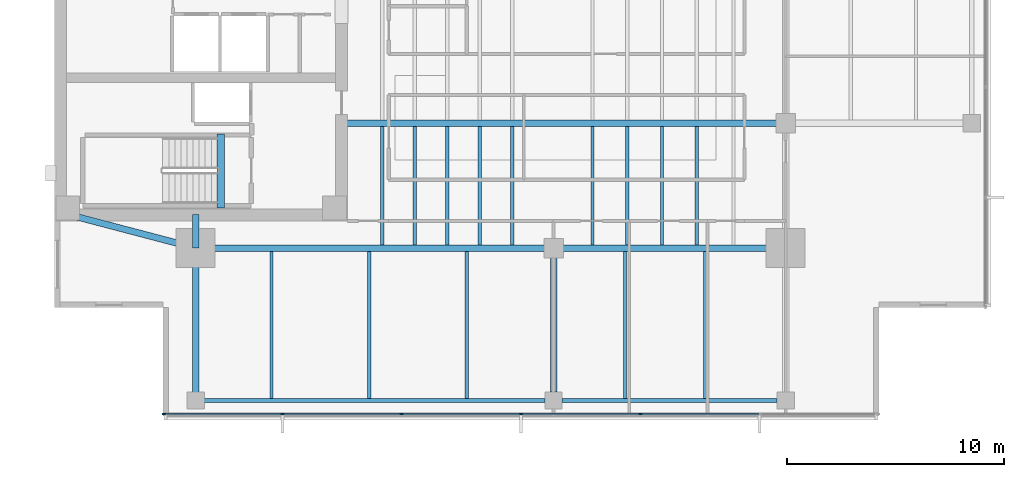
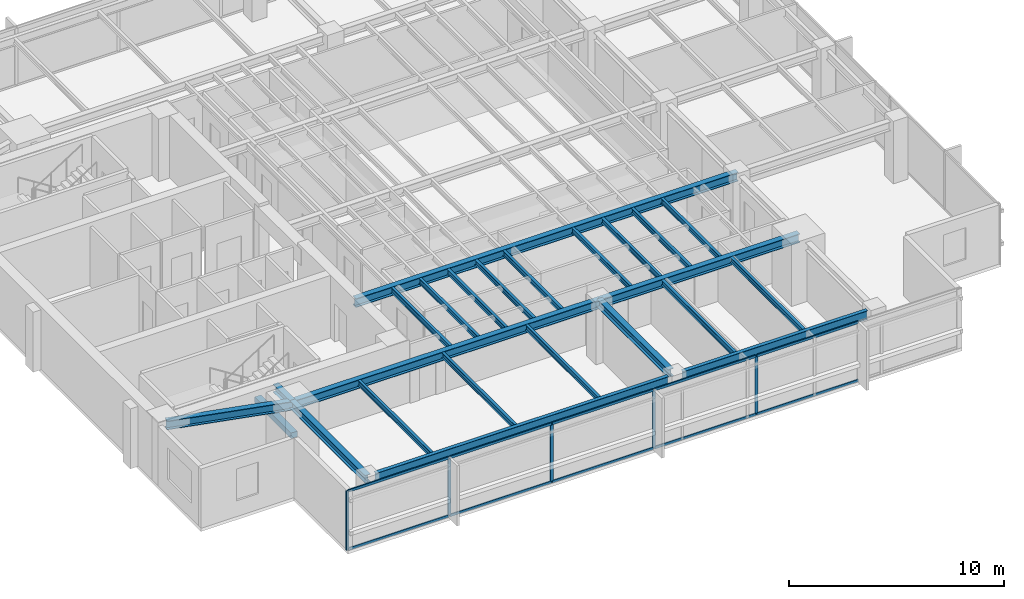
# One storey, part 2 of 14: 24 beams, 15 members, 1 element without a shape of its own.
"""IFC4 building model written with IfcOpenShell, lengths in metres."""

from ifc_helpers import new_model, si_unit, direction, frame, origin, origin_2d, place, context, subcontext, project, spatial, rectangle, i_section, extrude, material, layer, layer_set, material_profile, profile_set, type_object, element, aggregate, save


model = new_model("IFC4")

# Units and contexts
model_context = context("Model", 3, precision=1e-05, world=origin(), true_north=direction((0.0, 1.0)))
body_context = subcontext(model_context, "Body", "Model", "MODEL_VIEW")
ifc_project = project(units=[si_unit("LENGTHUNIT", "METRE"), si_unit("AREAUNIT", "SQUARE_METRE"), si_unit("VOLUMEUNIT", "CUBIC_METRE"), si_unit("PLANEANGLEUNIT", "RADIAN"), si_unit("MASSUNIT", "GRAM", prefix="KILO")], contexts=[model_context])

# Site, building, storey
site_placement = place(None, origin())
site = spatial("IfcSite", under=ifc_project, at=site_placement, CompositionType="ELEMENT")
building_placement = place(site_placement, origin())
building = spatial("IfcBuilding", under=site, at=building_placement, Name="Kinhvarn Gate Tower", CompositionType="ELEMENT")
storey_placement = place(building_placement, frame((0.0, 0.0, 223.550048828125)))
storey = spatial("IfcBuildingStorey", under=building, at=storey_placement, Name="L59", CompositionType="ELEMENT", Elevation=223.550048828125)

# Beam
ifc_material_1 = material(Name="Concrete C50/60", Category="concrete")
ifc_material_profile_1 = material_profile(ifc_material_1, rectangle(XDim=0.340087890625, YDim=0.320068359375, at=origin_2d()), Name="RC 340x320")
ifc_profile_set_1 = profile_set([ifc_material_profile_1], Name="Concrete C50/60")
beam_type_1 = type_object("IfcBeamType", Name="BM-LND-500", PredefinedType="BEAM", material=ifc_profile_set_1)
beam_1_placement = place(storey_placement, frame((12.1650390625, 14.60009765625, -0.16015625), z_axis=(0.0, 1.0, 0.0), x_axis=(-1.0, 0.0, 0.0)))
element("IfcBeam", 1, at=beam_1_placement, inside=storey, type_object=beam_type_1, Name="Stair ST1 Landing Nosing Beam (L59)", PredefinedType="BEAM", context=body_context, shape_type="SweptSolid", body=[
    extrude(rectangle(XDim=0.340087890625, YDim=0.320068359375, at=origin_2d()), origin(), (0.0, 0.0, 1.0), 3.39990234375),
])

# Curtain wall, members
ifc_material_2 = material(Name="Anodised aluminium AW-6063", Category="aluminium")
ifc_layer = layer(ifc_material_2, 0.179931640625)
ifc_layer_set = layer_set([ifc_layer], Name="Anodised aluminium AW-6063")
curtain_wall_type = type_object("IfcCurtainWallType", Name="CW-SYS-3", PredefinedType="NOTDEFINED", material=ifc_layer_set)
curtain_wall_placement = place(storey_placement, origin())
curtain_wall = element("IfcCurtainWall", 2, at=curtain_wall_placement, inside=storey, type_object=curtain_wall_type, Name="Curtain Wall CW3 (L59)", PredefinedType="NOTDEFINED")
ifc_material_profile_2 = material_profile(ifc_material_2, rectangle(XDim=0.06494140625, YDim=0.159912109375, at=origin_2d()), Name="ALU 65x160")
ifc_profile_set_2 = profile_set([ifc_material_profile_2], Name="Anodised aluminium AW-6063")
member_type_1 = type_object("IfcMemberType", Name="CW-MUL-160", PredefinedType="MULLION", material=ifc_profile_set_2)
member_1_placement = place(storey_placement, frame((9.532470703125, 5.090087890625, 0.0), z_axis=(0.0, 0.0, 1.0), x_axis=(0.0, 1.0, 0.0)))
member_1 = element("IfcMember", 3, at=member_1_placement, type_object=member_type_1, Name="CW3 mullion 1", PredefinedType="MULLION", context=body_context, shape_type="SweptSolid", body=[
    extrude(rectangle(XDim=0.06494140625, YDim=0.159912109375, at=origin_2d()), origin(), (0.0, 0.0, 1.0), 3.369873046875),
])
member_2_placement = place(storey_placement, frame((15.0, 5.090087890625, 0.0), z_axis=(0.0, 0.0, 1.0), x_axis=(0.0, 1.0, 0.0)))
member_2 = element("IfcMember", 4, at=member_2_placement, type_object=member_type_1, Name="CW3 mullion 2", PredefinedType="MULLION", context=body_context, shape_type="SweptSolid", body=[
    extrude(rectangle(XDim=0.06494140625, YDim=0.159912109375, at=origin_2d()), origin(), (0.0, 0.0, 1.0), 3.369873046875),
])
member_3_placement = place(storey_placement, frame((20.5, 5.090087890625, 0.0), z_axis=(0.0, 0.0, 1.0), x_axis=(0.0, 1.0, 0.0)))
member_3 = element("IfcMember", 5, at=member_3_placement, type_object=member_type_1, Name="CW3 mullion 3", PredefinedType="MULLION", context=body_context, shape_type="SweptSolid", body=[
    extrude(rectangle(XDim=0.06494140625, YDim=0.159912109375, at=origin_2d()), origin(), (0.0, 0.0, 1.0), 3.369873046875),
])
member_4_placement = place(storey_placement, frame((26.0, 5.090087890625, 0.0), z_axis=(0.0, 0.0, 1.0), x_axis=(0.0, 1.0, 0.0)))
member_4 = element("IfcMember", 6, at=member_4_placement, type_object=member_type_1, Name="CW3 mullion 4", PredefinedType="MULLION", context=body_context, shape_type="SweptSolid", body=[
    extrude(rectangle(XDim=0.06494140625, YDim=0.159912109375, at=origin_2d()), origin(), (0.0, 0.0, 1.0), 3.369873046875),
])
member_5_placement = place(storey_placement, frame((31.5, 5.090087890625, 0.0), z_axis=(0.0, 0.0, 1.0), x_axis=(0.0, 1.0, 0.0)))
member_5 = element("IfcMember", 7, at=member_5_placement, type_object=member_type_1, Name="CW3 mullion 5", PredefinedType="MULLION", context=body_context, shape_type="SweptSolid", body=[
    extrude(rectangle(XDim=0.06494140625, YDim=0.159912109375, at=origin_2d()), origin(), (0.0, 0.0, 1.0), 3.369873046875),
])
ifc_material_profile_3 = material_profile(ifc_material_2, rectangle(XDim=0.070068359375, YDim=0.139892578125, at=origin_2d()), Name="ALU 70x140")
ifc_profile_set_3 = profile_set([ifc_material_profile_3], Name="Anodised aluminium AW-6063")
member_type_2 = type_object("IfcMemberType", Name="CW-TRN-140", PredefinedType="USERDEFINED", material=ifc_profile_set_3)
member_6_placement = place(storey_placement, frame((9.56494140625, 5.090087890625, 0.034912109375), z_axis=(1.0, 0.0, 0.0), x_axis=(0.0, 1.0, 0.0)))
member_6 = element("IfcMember", 8, at=member_6_placement, type_object=member_type_2, Name="CW3 transom 1.1", ObjectType="TRANSOM", PredefinedType="USERDEFINED", context=body_context, shape_type="SweptSolid", body=[
    extrude(rectangle(XDim=0.070068359375, YDim=0.139892578125, at=origin_2d()), origin(), (0.0, 0.0, 1.0), 5.402587890625),
])
member_7_placement = place(storey_placement, frame((9.56494140625, 5.090087890625, 3.3349609375), z_axis=(1.0, 0.0, 0.0), x_axis=(0.0, 1.0, 0.0)))
member_7 = element("IfcMember", 9, at=member_7_placement, type_object=member_type_2, Name="CW3 transom 1.2", ObjectType="TRANSOM", PredefinedType="USERDEFINED", context=body_context, shape_type="SweptSolid", body=[
    extrude(rectangle(XDim=0.070068359375, YDim=0.139892578125, at=origin_2d()), origin(), (0.0, 0.0, 1.0), 5.402587890625),
])
member_8_placement = place(storey_placement, frame((15.032470703125, 5.090087890625, 0.034912109375), z_axis=(1.0, 0.0, 0.0), x_axis=(0.0, 1.0, 0.0)))
member_8 = element("IfcMember", 10, at=member_8_placement, type_object=member_type_2, Name="CW3 transom 2.1", ObjectType="TRANSOM", PredefinedType="USERDEFINED", context=body_context, shape_type="SweptSolid", body=[
    extrude(rectangle(XDim=0.070068359375, YDim=0.139892578125, at=origin_2d()), origin(), (0.0, 0.0, 1.0), 5.43505859375),
])
member_9_placement = place(storey_placement, frame((15.032470703125, 5.090087890625, 3.3349609375), z_axis=(1.0, 0.0, 0.0), x_axis=(0.0, 1.0, 0.0)))
member_9 = element("IfcMember", 11, at=member_9_placement, type_object=member_type_2, Name="CW3 transom 2.2", ObjectType="TRANSOM", PredefinedType="USERDEFINED", context=body_context, shape_type="SweptSolid", body=[
    extrude(rectangle(XDim=0.070068359375, YDim=0.139892578125, at=origin_2d()), origin(), (0.0, 0.0, 1.0), 5.43505859375),
])
member_10_placement = place(storey_placement, frame((20.532470703125, 5.090087890625, 0.034912109375), z_axis=(1.0, 0.0, 0.0), x_axis=(0.0, 1.0, 0.0)))
member_10 = element("IfcMember", 12, at=member_10_placement, type_object=member_type_2, Name="CW3 transom 3.1", ObjectType="TRANSOM", PredefinedType="USERDEFINED", context=body_context, shape_type="SweptSolid", body=[
    extrude(rectangle(XDim=0.070068359375, YDim=0.139892578125, at=origin_2d()), origin(), (0.0, 0.0, 1.0), 5.43505859375),
])
member_11_placement = place(storey_placement, frame((20.532470703125, 5.090087890625, 3.3349609375), z_axis=(1.0, 0.0, 0.0), x_axis=(0.0, 1.0, 0.0)))
member_11 = element("IfcMember", 13, at=member_11_placement, type_object=member_type_2, Name="CW3 transom 3.2", ObjectType="TRANSOM", PredefinedType="USERDEFINED", context=body_context, shape_type="SweptSolid", body=[
    extrude(rectangle(XDim=0.070068359375, YDim=0.139892578125, at=origin_2d()), origin(), (0.0, 0.0, 1.0), 5.43505859375),
])
member_12_placement = place(storey_placement, frame((26.032470703125, 5.090087890625, 0.034912109375), z_axis=(1.0, 0.0, 0.0), x_axis=(0.0, 1.0, 0.0)))
member_12 = element("IfcMember", 14, at=member_12_placement, type_object=member_type_2, Name="CW3 transom 4.1", ObjectType="TRANSOM", PredefinedType="USERDEFINED", context=body_context, shape_type="SweptSolid", body=[
    extrude(rectangle(XDim=0.070068359375, YDim=0.139892578125, at=origin_2d()), origin(), (0.0, 0.0, 1.0), 5.43505859375),
])
member_13_placement = place(storey_placement, frame((26.032470703125, 5.090087890625, 3.3349609375), z_axis=(1.0, 0.0, 0.0), x_axis=(0.0, 1.0, 0.0)))
member_13 = element("IfcMember", 15, at=member_13_placement, type_object=member_type_2, Name="CW3 transom 4.2", ObjectType="TRANSOM", PredefinedType="USERDEFINED", context=body_context, shape_type="SweptSolid", body=[
    extrude(rectangle(XDim=0.070068359375, YDim=0.139892578125, at=origin_2d()), origin(), (0.0, 0.0, 1.0), 5.43505859375),
])
member_14_placement = place(storey_placement, frame((31.532470703125, 5.090087890625, 0.034912109375), z_axis=(1.0, 0.0, 0.0), x_axis=(0.0, 1.0, 0.0)))
member_14 = element("IfcMember", 16, at=member_14_placement, type_object=member_type_2, Name="CW3 transom 5.1", ObjectType="TRANSOM", PredefinedType="USERDEFINED", context=body_context, shape_type="SweptSolid", body=[
    extrude(rectangle(XDim=0.070068359375, YDim=0.139892578125, at=origin_2d()), origin(), (0.0, 0.0, 1.0), 5.43505859375),
])
member_15_placement = place(storey_placement, frame((31.532470703125, 5.090087890625, 3.3349609375), z_axis=(1.0, 0.0, 0.0), x_axis=(0.0, 1.0, 0.0)))
member_15 = element("IfcMember", 17, at=member_15_placement, type_object=member_type_2, Name="CW3 transom 5.2", ObjectType="TRANSOM", PredefinedType="USERDEFINED", context=body_context, shape_type="SweptSolid", body=[
    extrude(rectangle(XDim=0.070068359375, YDim=0.139892578125, at=origin_2d()), origin(), (0.0, 0.0, 1.0), 5.43505859375),
])
aggregate(curtain_wall, [member_1, member_2, member_3, member_4, member_5, member_6, member_7, member_8, member_9, member_10, member_11, member_12, member_13, member_14, member_15])

# Beams
ifc_material_3 = material(Name="Steel S355", Category="steel")
ifc_material_profile_4 = material_profile(ifc_material_3, i_section(OverallWidth=0.300048828125, OverallDepth=0.449951171875, WebThickness=0.013916015625, FlangeThickness=0.02587890625, at=origin_2d()), Name="HEB 450")
ifc_profile_set_4 = profile_set([ifc_material_profile_4], Name="Steel S355")
beam_type_2 = type_object("IfcBeamType", Name="STL-HEB450", PredefinedType="BEAM", material=ifc_profile_set_4)
beam_2_placement = place(storey_placement, frame((11.0, 5.719970703125, 3.14501953125), z_axis=(0.0, 1.0, 0.0), x_axis=(-1.0, 0.0, 0.0)))
element("IfcBeam", 18, at=beam_2_placement, inside=storey, type_object=beam_type_2, Name="Floor Beam PG-13 (L59 MCW-S)", PredefinedType="BEAM", context=body_context, shape_type="SweptSolid", body=[
    extrude(i_section(OverallWidth=0.300048828125, OverallDepth=0.449951171875, WebThickness=0.013916015625, FlangeThickness=0.02587890625, at=origin_2d()), origin(), (0.0, 0.0, 1.0), 7.030029296875),
])
beam_3_placement = place(storey_placement, frame((11.0, 12.75, 3.14501953125), z_axis=(0.0, 1.0, 0.0), x_axis=(-1.0, 0.0, 0.0)))
element("IfcBeam", 19, at=beam_3_placement, inside=storey, type_object=beam_type_2, Name="Floor Beam PG-13 (L59 MCW-CS)", PredefinedType="BEAM", context=body_context, shape_type="SweptSolid", body=[
    extrude(i_section(OverallWidth=0.300048828125, OverallDepth=0.449951171875, WebThickness=0.013916015625, FlangeThickness=0.02587890625, at=origin_2d()), origin(), (0.0, 0.0, 1.0), 1.550048828125),
])
beam_4_placement = place(storey_placement, frame((27.5, 6.10498046875, 3.14501953125), z_axis=(0.0, 1.0, 0.0), x_axis=(-1.0, 0.0, 0.0)))
element("IfcBeam", 20, at=beam_4_placement, inside=storey, type_object=beam_type_2, Name="Floor Beam PG-13 (L59 SP27-S-TIE)", PredefinedType="BEAM", context=body_context, shape_type="SweptSolid", body=[
    extrude(i_section(OverallWidth=0.300048828125, OverallDepth=0.449951171875, WebThickness=0.013916015625, FlangeThickness=0.02587890625, at=origin_2d()), origin(), (0.0, 0.0, 1.0), 6.64501953125),
])
ifc_material_profile_5 = material_profile(ifc_material_3, i_section(OverallWidth=0.300048828125, OverallDepth=0.5, WebThickness=0.014404296875, FlangeThickness=0.028076171875, at=origin_2d()), Name="HEB 500")
ifc_profile_set_5 = profile_set([ifc_material_profile_5], Name="Steel S355")
beam_type_3 = type_object("IfcBeamType", Name="STL-HEB500", PredefinedType="BEAM", material=ifc_profile_set_5)
beam_5_placement = place(storey_placement, frame((11.0, 12.75, 3.119873046875), z_axis=(1.0, 0.0, 0.0), x_axis=(0.0, 1.0, 0.0)))
element("IfcBeam", 21, at=beam_5_placement, inside=storey, type_object=beam_type_3, Name="Floor Beam PG-14 (L59 MG-S1)", PredefinedType="BEAM", context=body_context, shape_type="SweptSolid", body=[
    extrude(i_section(OverallWidth=0.300048828125, OverallDepth=0.5, WebThickness=0.014404296875, FlangeThickness=0.028076171875, at=origin_2d()), origin(), (0.0, 0.0, 1.0), 16.5),
])
beam_6_placement = place(storey_placement, frame((27.5, 12.75, 3.119873046875), z_axis=(1.0, 0.0, 0.0), x_axis=(0.0, 1.0, 0.0)))
element("IfcBeam", 22, at=beam_6_placement, inside=storey, type_object=beam_type_3, Name="Floor Beam PG-14 (L59 MG-S2)", PredefinedType="BEAM", context=body_context, shape_type="SweptSolid", body=[
    extrude(i_section(OverallWidth=0.300048828125, OverallDepth=0.5, WebThickness=0.014404296875, FlangeThickness=0.028076171875, at=origin_2d()), origin(), (0.0, 0.0, 1.0), 10.699951171875),
])
beam_7_placement = place(storey_placement, frame((5.10009765625, 14.300048828125, 3.119873046875), z_axis=(0.967177623957, -0.254101246979, 0.0), x_axis=(0.254101246979, 0.967177623957, 0.0)))
element("IfcBeam", 23, at=beam_7_placement, inside=storey, type_object=beam_type_3, Name="Floor Beam PG-14 (L59 MG-SW-DIAG)", PredefinedType="BEAM", context=body_context, shape_type="SweptSolid", body=[
    extrude(i_section(OverallWidth=0.300048828125, OverallDepth=0.5, WebThickness=0.014404296875, FlangeThickness=0.028076171875, at=origin_2d()), origin(), (0.0, 0.0, 1.0), 6.10009765625),
])
beam_8_placement = place(storey_placement, frame((17.64990234375, 18.5, 3.119873046875), z_axis=(1.0, 0.0, 0.0), x_axis=(0.0, 1.0, 0.0)))
element("IfcBeam", 24, at=beam_8_placement, inside=storey, type_object=beam_type_3, Name="Floor Beam PG-14 (L59 EW1-Y18)", PredefinedType="BEAM", context=body_context, shape_type="SweptSolid", body=[
    extrude(i_section(OverallWidth=0.300048828125, OverallDepth=0.5, WebThickness=0.014404296875, FlangeThickness=0.028076171875, at=origin_2d()), origin(), (0.0, 0.0, 1.0), 20.550048828125),
])
ifc_material_profile_6 = material_profile(ifc_material_3, i_section(OverallWidth=0.14990234375, OverallDepth=0.300048828125, WebThickness=0.007080078125, FlangeThickness=0.0107421875, at=origin_2d()), Name="IPE 300")
ifc_profile_set_6 = profile_set([ifc_material_profile_6], Name="Steel S355")
beam_type_4 = type_object("IfcBeamType", Name="STL-IPE300", PredefinedType="JOIST", material=ifc_profile_set_6)
for number, where, z_axis, x_axis, name in (
    (25, (19.60009765625, 12.89990234375, 3.219970703125), (0.0, 1.0, 0.0), (-1.0, 0.0, 0.0), "Floor Joist SB-02 (L59 JC-X196-0)"),
    (26, (21.10009765625, 12.89990234375, 3.219970703125), (0.0, 1.0, 0.0), (-1.0, 0.0, 0.0), "Floor Joist SB-02 (L59 JC-X211-0)"),
    (27, (22.60009765625, 12.89990234375, 3.219970703125), (0.0, 1.0, 0.0), (-1.0, 0.0, 0.0), "Floor Joist SB-02 (L59 JC-X226-0)"),
    (28, (24.10009765625, 12.89990234375, 3.219970703125), (0.0, 1.0, 0.0), (-1.0, 0.0, 0.0), "Floor Joist SB-02 (L59 JC-X241-0)"),
    (29, (25.60009765625, 12.89990234375, 3.219970703125), (0.0, 1.0, 0.0), (-1.0, 0.0, 0.0), "Floor Joist SB-02 (L59 JC-X256-0)"),
    (30, (29.300048828125, 12.89990234375, 3.219970703125), (0.0, 1.0, 0.0), (-1.0, 0.0, 0.0), "Floor Joist SB-02 (L59 JC-X293-0)"),
    (31, (30.89990234375, 12.89990234375, 3.219970703125), (0.0, 1.0, 0.0), (-1.0, 0.0, 0.0), "Floor Joist SB-02 (L59 JC-X309-0)"),
    (32, (32.5, 12.89990234375, 3.219970703125), (0.0, 1.0, 0.0), (-1.0, 0.0, 0.0), "Floor Joist SB-02 (L59 JC-X325-0)"),
    (33, (34.10009765625, 12.89990234375, 3.219970703125), (0.0, 1.0, 0.0), (-1.0, 0.0, 0.0), "Floor Joist SB-02 (L59 JC-X341-0)"),
):
    element("IfcBeam", number, at=place(storey_placement, frame(where, z_axis=z_axis, x_axis=x_axis)), inside=storey, type_object=beam_type_4, Name=name, PredefinedType="JOIST", context=body_context, shape_type="SweptSolid", body=[
        extrude(i_section(OverallWidth=0.14990234375, OverallDepth=0.300048828125, WebThickness=0.007080078125, FlangeThickness=0.0107421875, at=origin_2d()), origin(), (0.0, 0.0, 1.0), 5.4501953125),
    ])
for number, where, z_axis, x_axis, name in (
    (34, (14.5, 5.820068359375, 3.219970703125), (0.0, 1.0, 0.0), (-1.0, 0.0, 0.0), "Floor Joist SB-02 (L59 JS-X145)"),
    (35, (19.0, 5.820068359375, 3.219970703125), (0.0, 1.0, 0.0), (-1.0, 0.0, 0.0), "Floor Joist SB-02 (L59 JS-X190)"),
    (36, (23.5, 5.820068359375, 3.219970703125), (0.0, 1.0, 0.0), (-1.0, 0.0, 0.0), "Floor Joist SB-02 (L59 JS-X235)"),
    (37, (30.800048828125, 5.820068359375, 3.219970703125), (0.0, 1.0, 0.0), (-1.0, 0.0, 0.0), "Floor Joist SB-02 (L59 JS-X308)"),
    (38, (34.5, 5.820068359375, 3.219970703125), (0.0, 1.0, 0.0), (-1.0, 0.0, 0.0), "Floor Joist SB-02 (L59 JS-X345)"),
):
    element("IfcBeam", number, at=place(storey_placement, frame(where, z_axis=z_axis, x_axis=x_axis)), inside=storey, type_object=beam_type_4, Name=name, PredefinedType="JOIST", context=body_context, shape_type="SweptSolid", body=[
        extrude(i_section(OverallWidth=0.14990234375, OverallDepth=0.300048828125, WebThickness=0.007080078125, FlangeThickness=0.0107421875, at=origin_2d()), origin(), (0.0, 0.0, 1.0), 6.780029296875),
    ])
ifc_material_profile_7 = material_profile(ifc_material_3, i_section(OverallWidth=0.199951171875, OverallDepth=0.5, WebThickness=0.01025390625, FlangeThickness=0.01611328125, at=origin_2d()), Name="IPE 500")
ifc_profile_set_7 = profile_set([ifc_material_profile_7], Name="Steel S355")
beam_type_5 = type_object("IfcBeamType", Name="STL-IPE500", PredefinedType="SPANDREL", material=ifc_profile_set_7)
beam_9_placement = place(storey_placement, frame((11.385009765625, 5.719970703125, 3.119873046875), z_axis=(1.0, 0.0, 0.0), x_axis=(0.0, 1.0, 0.0)))
element("IfcBeam", 39, at=beam_9_placement, inside=storey, type_object=beam_type_5, Name="Floor Spandrel SB-07 (L59 SP-S1)", PredefinedType="SPANDREL", context=body_context, shape_type="SweptSolid", body=[
    extrude(i_section(OverallWidth=0.199951171875, OverallDepth=0.5, WebThickness=0.01025390625, FlangeThickness=0.01611328125, at=origin_2d()), origin(), (0.0, 0.0, 1.0), 15.72998046875),
])
beam_10_placement = place(storey_placement, frame((27.885009765625, 5.719970703125, 3.119873046875), z_axis=(1.0, 0.0, 0.0), x_axis=(0.0, 1.0, 0.0)))
element("IfcBeam", 40, at=beam_10_placement, inside=storey, type_object=beam_type_5, Name="Floor Spandrel SB-07 (L59 SP-S2)", PredefinedType="SPANDREL", context=body_context, shape_type="SweptSolid", body=[
    extrude(i_section(OverallWidth=0.199951171875, OverallDepth=0.5, WebThickness=0.01025390625, FlangeThickness=0.01611328125, at=origin_2d()), origin(), (0.0, 0.0, 1.0), 9.929931640625),
])

save(model, "model.ifc")
